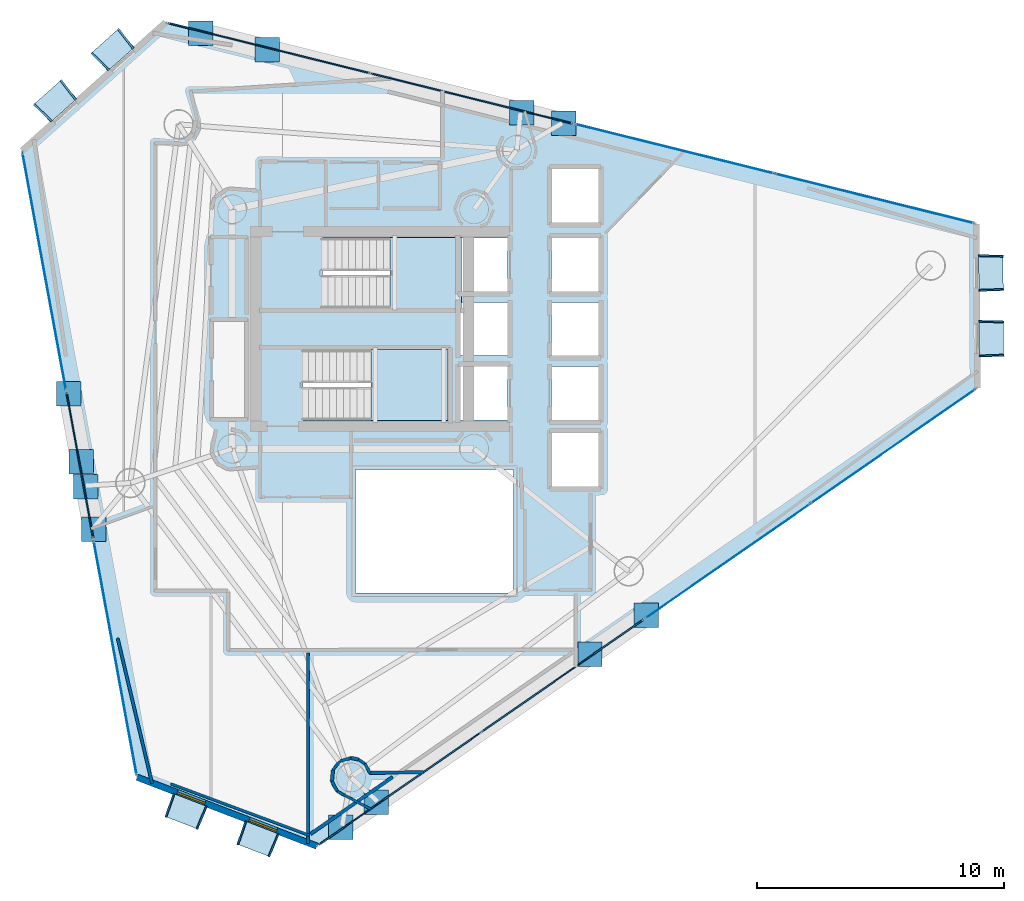
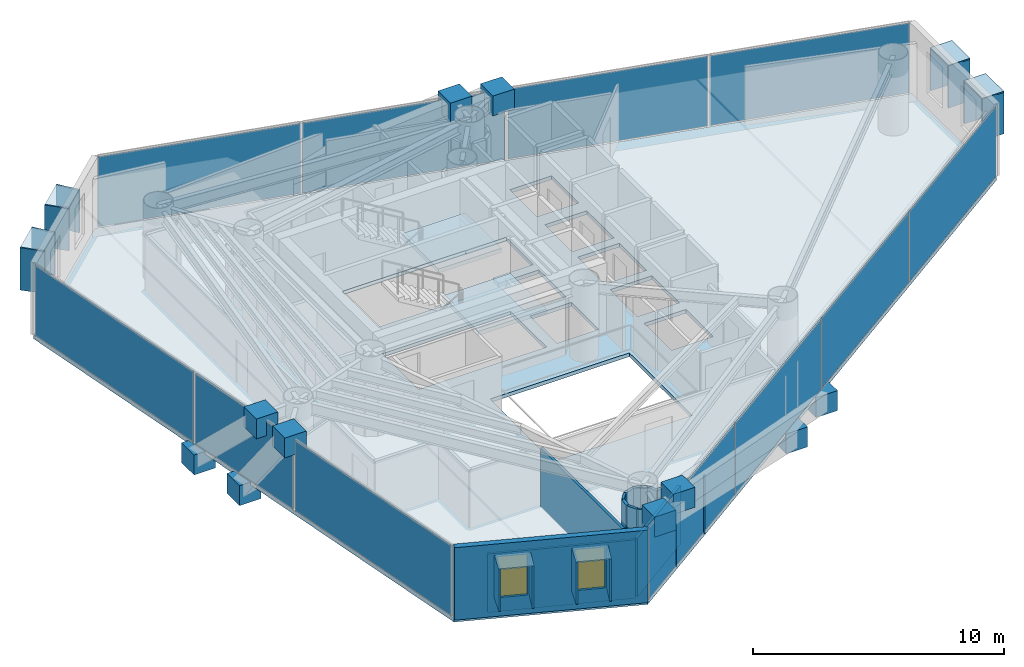
# One storey, part 18 of 23: 41 plates, 14 walls, 3 slabs, 2 windows, 2 openings, 9 elements without a shape of their own.
"""IFC4 building model written with IfcOpenShell, lengths in metres."""

from ifc_helpers import new_model, si_unit, direction, frame, frame_2d, origin, origin_2d, place, context, subcontext, project, spatial, polyline, rectangle, outline, extrude, material, layer, layer_set, type_object, element, fill, aggregate, save


model = new_model("IFC4")

# Units and contexts
model_context = context("Model", 3, precision=1e-05, world=origin(), true_north=direction((0.0, 1.0)))
body_context = subcontext(model_context, "Body", "Model", "MODEL_VIEW")
ifc_project = project(units=[si_unit("LENGTHUNIT", "METRE"), si_unit("AREAUNIT", "SQUARE_METRE"), si_unit("VOLUMEUNIT", "CUBIC_METRE"), si_unit("PLANEANGLEUNIT", "RADIAN"), si_unit("MASSUNIT", "GRAM", prefix="KILO")], contexts=[model_context])

# Site, building, storey
site_placement = place(None, origin())
site = spatial("IfcSite", under=ifc_project, at=site_placement, CompositionType="ELEMENT")
building_placement = place(site_placement, origin())
building = spatial("IfcBuilding", under=site, at=building_placement, Name="Qianvela Tower", CompositionType="ELEMENT")
storey_placement = place(building_placement, frame((0.0, 0.0, 192.89990234375)))
storey = spatial("IfcBuildingStorey", under=building, at=storey_placement, Name="L49", CompositionType="ELEMENT", Elevation=192.89990234375)

# Curtain wall, plates
ifc_material_1 = material(Name="Anodised Architectural Aluminium and Insulated Spandrel Panel", Category="aluminium")
ifc_layer_1 = layer(ifc_material_1, 0.179931640625)
ifc_layer_set_1 = layer_set([ifc_layer_1], Name="Anodised Architectural Aluminium and Insulated Spandrel Panel")
curtain_wall_type_1 = type_object("IfcCurtainWallType", Name="CW-BRACEBAY", PredefinedType="USERDEFINED", material=ifc_layer_set_1)
curtain_wall_1_placement = place(storey_placement, origin())
curtain_wall_1 = element("IfcCurtainWall", 1, at=curtain_wall_1_placement, inside=storey, type_object=curtain_wall_type_1, Name="L49 CW-BRACEBAY Curtain Wall 02B", ObjectType="CURTAIN_WALL_SYSTEM", PredefinedType="USERDEFINED")
ifc_material_2 = material(Name="Insulated Aluminium Spandrel Panel with Mineral-Wool Backpan", Category="aluminium")
ifc_layer_2 = layer(ifc_material_2, 0.06005859375)
ifc_layer_set_2 = layer_set([ifc_layer_2], Name="Insulated Aluminium Spandrel Panel with Mineral-Wool Backpan")
plate_type_1 = type_object("IfcPlateType", Name="CW-BRACEBAY-PNL", PredefinedType="CURTAIN_PANEL", material=ifc_layer_set_2)
plate_1_placement = place(storey_placement, frame((38.3017578125, 38.04150390625, 0.06494140625), z_axis=(0.0, 0.0, 1.0), x_axis=(-0.970494293403, 0.241124089364, 0.0)))
plate_1 = element("IfcPlate", 2, at=plate_1_placement, type_object=plate_type_1, Name="CW-9 panel 1.1", PredefinedType="CURTAIN_PANEL", context=body_context, shape_type="SweptSolid", body=[
    extrude(rectangle(XDim=8.39697265625, YDim=0.06005859375, at=origin_2d()), origin(), (0.0, 0.0, 1.0), 3.389892578125),
])
plate_2_placement = place(storey_placement, frame((30.08935546875, 40.081787109375, 0.06494140625), z_axis=(0.0, 0.0, 1.0), x_axis=(-0.970494293403, 0.241124089364, 0.0)))
plate_2 = element("IfcPlate", 3, at=plate_2_placement, type_object=plate_type_1, Name="CW-9 panel 2.1", PredefinedType="CURTAIN_PANEL", context=body_context, shape_type="SweptSolid", body=[
    extrude(rectangle(XDim=8.39697265625, YDim=0.06005859375, at=origin_2d()), origin(), (0.0, 0.0, 1.0), 3.389892578125),
])
aggregate(curtain_wall_1, [plate_1, plate_2])

# Curtain wall, plate
curtain_wall_2_placement = place(storey_placement, origin())
curtain_wall_2 = element("IfcCurtainWall", 4, at=curtain_wall_2_placement, inside=storey, type_object=curtain_wall_type_1, Name="L49 CW-BRACEBAY Curtain Wall 04B", ObjectType="CURTAIN_WALL_SYSTEM", PredefinedType="USERDEFINED")
plate_3_placement = place(storey_placement, frame((22.428955078125, 23.173583984375, 0.06494140625), z_axis=(0.0, 0.0, 1.0), x_axis=(0.180524212353, -0.983570540813, 0.0)))
plate_3 = element("IfcPlate", 5, at=plate_3_placement, type_object=plate_type_1, Name="CW-9 panel 1.1", PredefinedType="CURTAIN_PANEL", context=body_context, shape_type="SweptSolid", body=[
    extrude(rectangle(XDim=5.97998046875, YDim=0.06005859375, at=origin_2d()), origin(), (0.0, 0.0, 1.0), 3.389892578125),
])
aggregate(curtain_wall_2, [plate_3])

# Curtain wall, plates
curtain_wall_3_placement = place(storey_placement, origin())
curtain_wall_3 = element("IfcCurtainWall", 6, at=curtain_wall_3_placement, inside=storey, type_object=curtain_wall_type_1, Name="L49 CW-BRACEBAY Curtain Wall 06A", ObjectType="CURTAIN_WALL_SYSTEM", PredefinedType="USERDEFINED")
plate_4_placement = place(storey_placement, frame((35.392333984375, 10.0791015625, 0.06494140625), z_axis=(0.0, 0.0, 1.0), x_axis=(0.821619262388, 0.570036654674, 0.0)))
plate_4 = element("IfcPlate", 7, at=plate_4_placement, type_object=plate_type_1, Name="CW-9 panel 1.1", PredefinedType="CURTAIN_PANEL", context=body_context, shape_type="SweptSolid", body=[
    extrude(rectangle(XDim=7.95751953125, YDim=0.06005859375, at=origin_2d()), origin(), (0.0, 0.0, 1.0), 3.389892578125),
])
plate_5_placement = place(storey_placement, frame((41.98388671875, 14.652099609375, 0.06494140625), z_axis=(0.0, 0.0, 1.0), x_axis=(0.821619262388, 0.570036654674, 0.0)))
plate_5 = element("IfcPlate", 8, at=plate_5_placement, type_object=plate_type_1, Name="CW-9 panel 2.1", PredefinedType="CURTAIN_PANEL", context=body_context, shape_type="SweptSolid", body=[
    extrude(rectangle(XDim=7.95751953125, YDim=0.06005859375, at=origin_2d()), origin(), (0.0, 0.0, 1.0), 3.389892578125),
])
aggregate(curtain_wall_3, [plate_4, plate_5])

ifc_material_3 = material(Name="Anodised Architectural Aluminium and Low-E Glass", Category="aluminium")
ifc_layer_3 = layer(ifc_material_3, 0.159912109375)
ifc_layer_set_3 = layer_set([ifc_layer_3], Name="Anodised Architectural Aluminium and Low-E Glass")
curtain_wall_type_2 = type_object("IfcCurtainWallType", Name="CW-COLIV-Z56", PredefinedType="USERDEFINED", material=ifc_layer_set_3)
curtain_wall_4_placement = place(storey_placement, origin())
curtain_wall_4 = element("IfcCurtainWall", 9, at=curtain_wall_4_placement, inside=storey, type_object=curtain_wall_type_2, Name="L49 CW-COLIV-Z56 Curtain Wall 02A", ObjectType="CURTAIN_WALL_SYSTEM", PredefinedType="USERDEFINED")
ifc_material_4 = material(Name="Double-Silver Low-E Insulated Glass", Category="glass")
ifc_layer_4 = layer(ifc_material_4, 0.028076171875)
ifc_layer_set_4 = layer_set([ifc_layer_4], Name="Double-Silver Low-E Insulated Glass")
plate_type_2 = type_object("IfcPlateType", Name="CW-COLIV-Z56-PNL", PredefinedType="CURTAIN_PANEL", material=ifc_layer_set_4)
plate_6_placement = place(storey_placement, frame((54.615478515625, 33.98828125, 0.06005859375), z_axis=(0.0, 0.0, 1.0), x_axis=(-0.970494762976, 0.241122199386, 0.0)))
plate_6 = element("IfcPlate", 10, at=plate_6_placement, type_object=plate_type_2, Name="CW-5 panel 1.1", PredefinedType="CURTAIN_PANEL", context=body_context, shape_type="SweptSolid", body=[
    extrude(rectangle(XDim=8.277587890625, YDim=0.028076171875, at=origin_2d()), origin(), (0.0, 0.0, 1.0), 3.39990234375),
])
plate_7_placement = place(storey_placement, frame((46.519287109375, 35.999755859375, 0.06005859375), z_axis=(0.0, 0.0, 1.0), x_axis=(-0.970494762976, 0.241122199386, 0.0)))
plate_7 = element("IfcPlate", 11, at=plate_7_placement, type_object=plate_type_2, Name="CW-5 panel 2.1", PredefinedType="CURTAIN_PANEL", context=body_context, shape_type="SweptSolid", body=[
    extrude(rectangle(XDim=8.277587890625, YDim=0.028076171875, at=origin_2d()), origin(), (0.0, 0.0, 1.0), 3.39990234375),
])
aggregate(curtain_wall_4, [plate_6, plate_7])

# Curtain wall, plate
curtain_wall_5_placement = place(storey_placement, origin())
curtain_wall_5 = element("IfcCurtainWall", 12, at=curtain_wall_5_placement, inside=storey, type_object=curtain_wall_type_2, Name="L49 CW-COLIV-Z56 Curtain Wall 04A", ObjectType="CURTAIN_WALL_SYSTEM", PredefinedType="USERDEFINED")
plate_8_placement = place(storey_placement, frame((20.987548828125, 31.027587890625, 0.06005859375), z_axis=(0.0, 0.0, 1.0), x_axis=(0.180517568176, -0.98357176026, 0.0)))
plate_8 = element("IfcPlate", 13, at=plate_8_placement, type_object=plate_type_2, Name="CW-5 panel 1.1", PredefinedType="CURTAIN_PANEL", context=body_context, shape_type="SweptSolid", body=[
    extrude(rectangle(XDim=9.72998046875, YDim=0.028076171875, at=origin_2d()), origin(), (0.0, 0.0, 1.0), 3.39990234375),
])
aggregate(curtain_wall_5, [plate_8])

curtain_wall_6_placement = place(storey_placement, origin())
curtain_wall_6 = element("IfcCurtainWall", 14, at=curtain_wall_6_placement, inside=storey, type_object=curtain_wall_type_2, Name="L49 CW-COLIV-Z56 Curtain Wall 04C", ObjectType="CURTAIN_WALL_SYSTEM", PredefinedType="USERDEFINED")
plate_9_placement = place(storey_placement, frame((23.859619140625, 15.378173828125, 0.06005859375), z_axis=(0.0, 0.0, 1.0), x_axis=(0.180515736726, -0.983572096389, 0.0)))
plate_9 = element("IfcPlate", 15, at=plate_9_placement, type_object=plate_type_2, Name="CW-5 panel 1.1", PredefinedType="CURTAIN_PANEL", context=body_context, shape_type="SweptSolid", body=[
    extrude(rectangle(XDim=9.611572265625, YDim=0.028076171875, at=origin_2d()), origin(), (0.0, 0.0, 1.0), 3.39990234375),
])
aggregate(curtain_wall_6, [plate_9])

# Curtain wall, plates
curtain_wall_7_placement = place(storey_placement, origin())
curtain_wall_7 = element("IfcCurtainWall", 16, at=curtain_wall_7_placement, inside=storey, type_object=curtain_wall_type_2, Name="L49 CW-COLIV-Z56 Curtain Wall 06B", ObjectType="CURTAIN_WALL_SYSTEM", PredefinedType="USERDEFINED")
plate_10_placement = place(storey_placement, frame((48.6796875, 19.297607421875, 0.06005859375), z_axis=(0.0, 0.0, 1.0), x_axis=(0.821617387273, 0.570039357353, 0.0)))
plate_10 = element("IfcPlate", 17, at=plate_10_placement, type_object=plate_type_2, Name="CW-5 panel 1.1", PredefinedType="CURTAIN_PANEL", context=body_context, shape_type="SweptSolid", body=[
    extrude(rectangle(XDim=8.081787109375, YDim=0.028076171875, at=origin_2d()), origin(), (0.0, 0.0, 1.0), 3.39990234375),
])
plate_11_placement = place(storey_placement, frame((55.373046875, 23.941650390625, 0.06005859375), z_axis=(0.0, 0.0, 1.0), x_axis=(0.821617387273, 0.570039357353, 0.0)))
plate_11 = element("IfcPlate", 18, at=plate_11_placement, type_object=plate_type_2, Name="CW-5 panel 2.1", PredefinedType="CURTAIN_PANEL", context=body_context, shape_type="SweptSolid", body=[
    extrude(rectangle(XDim=8.081787109375, YDim=0.028076171875, at=origin_2d()), origin(), (0.0, 0.0, 1.0), 3.39990234375),
])
aggregate(curtain_wall_7, [plate_10, plate_11])

# Plates
ifc_material_5 = material(Name="Steel Q420GJC", Category="steel")
ifc_layer_5 = layer(ifc_material_5, 0.1298828125)
ifc_layer_set_5 = layer_set([ifc_layer_5], Name="Steel Q420GJC")
plate_type_3 = type_object("IfcPlateType", Name="PT-ENDCAP-130", PredefinedType="USERDEFINED", material=ifc_layer_set_5)
for number, where, z_axis, x_axis, name in (
    (19, (30.024658203125, 40.015625, -0.984375), (0.0, 0.0, 1.0), (1.0, 0.0, 0.0), "L49 Hollow Section End Cap Plate A"),
    (20, (42.035888671875, 37.03125, 2.75048828125), (0.0, 0.0, 1.0), (1.0, 0.0, 0.0), "L49 Hollow Section End Cap Plate B"),
    (21, (27.32470703125, 40.686279296875, -0.98291015625), (0.0, 0.0, 1.0), (1.0, 0.0, 0.0), "L49 Hollow Section End Cap Plate A"),
    (22, (40.33544921875, 37.453857421875, 2.7490234375), (0.0, 0.0, 1.0), (1.0, 0.0, 0.0), "L49 Hollow Section End Cap Plate B"),
    (23, (21.97900390625, 26.068603515625, -1.00927734375), (0.0, 0.0, 1.0), (1.0, 0.0, 0.0), "L49 Hollow Section End Cap Plate A"),
    (24, (22.6689453125, 22.309326171875, 2.775390625), (0.0, 0.0, 1.0), (1.0, 0.0, 0.0), "L49 Hollow Section End Cap Plate B"),
    (25, (22.482421875, 23.32568359375, -1.01513671875), (0.0, 0.0, 1.0), (1.0, 0.0, 0.0), "L49 Hollow Section End Cap Plate A"),
    (26, (22.98388671875, 20.592529296875, 2.78173828125), (0.0, 0.0, 1.0), (1.0, 0.0, 0.0), "L49 Hollow Section End Cap Plate B"),
    (27, (43.09619140625, 15.521484375, -0.984375), (0.0, 0.0, 1.0), (1.0, 0.0, 0.0), "L49 Hollow Section End Cap Plate A"),
    (28, (33.004150390625, 8.51953125, 2.75048828125), (0.0, 0.0, 1.0), (1.0, 0.0, 0.0), "L49 Hollow Section End Cap Plate B"),
    (29, (45.3818359375, 17.107177734375, -0.98291015625), (0.0, 0.0, 1.0), (1.0, 0.0, 0.0), "L49 Hollow Section End Cap Plate A"),
    (30, (34.44384765625, 9.518310546875, 2.74951171875), (0.0, 0.0, 1.0), (1.0, 0.0, 0.0), "L49 Hollow Section End Cap Plate B"),
):
    element("IfcPlate", number, at=place(storey_placement, frame(where, z_axis=z_axis, x_axis=x_axis)), inside=storey, type_object=plate_type_3, Name=name, ObjectType="END_CAP", PredefinedType="USERDEFINED", context=body_context, shape_type="SweptSolid", body=[
        extrude(rectangle(XDim=0.989990234375, YDim=0.989990234375, at=origin_2d()), origin(), (0.0, 0.0, 1.0), 0.969970703125),
    ])

# Slab
ifc_material_6 = material(Name="Concrete C40", Category="concrete")
ifc_layer_6 = layer(ifc_material_6, 0.179931640625)
ifc_layer_set_6 = layer_set([ifc_layer_6], Name="Concrete C40")
slab_type_1 = type_object("IfcSlabType", Name="SL-FLOOR-180", PredefinedType="FLOOR", material=ifc_layer_set_6)
slab_1_placement = place(storey_placement, frame((0.0, 0.0, -0.179931640625)))
element("IfcSlab", 31, at=slab_1_placement, inside=storey, type_object=slab_type_1, Name="L49 Composite Structural Floor Slab", PredefinedType="FLOOR", context=body_context, shape_type="SweptSolid", body=[
    extrude(outline(polyline([(58.78759765625, 26.310546875), (58.743896484375, 32.96240234375), (25.903076171875, 41.1220703125), (20.08837890625, 35.92578125), (24.747802734375, 10.5380859375), (32.02880859375, 7.745361328125), (58.78759765625, 26.310546875)]), holes=[polyline([(40.0, 23.0), (33.60009765625, 23.0), (33.60009765625, 18.0), (40.0, 18.0), (40.0, 23.0)]), polyline([(39.760009765625, 27.179931640625), (37.840087890625, 27.179931640625), (37.840087890625, 25.02001953125), (39.760009765625, 25.02001953125), (39.760009765625, 27.179931640625)]), polyline([(37.35009765625, 27.860107421875), (31.469970703125, 27.860107421875), (31.469970703125, 25.0), (37.35009765625, 25.0), (37.35009765625, 27.860107421875)]), polyline([(37.840087890625, 27.6201171875), (39.760009765625, 27.6201171875), (39.760009765625, 29.780029296875), (37.89990234375, 29.780029296875), (37.89990234375, 30.219970703125), (39.760009765625, 30.219970703125), (39.760009765625, 32.3798828125), (37.89990234375, 32.3798828125), (37.89990234375, 32.39990234375), (32.25, 32.39990234375), (32.25, 29.5400390625), (37.840087890625, 29.5400390625), (37.840087890625, 27.6201171875)]), polyline([(43.4599609375, 22.320068359375), (43.4599609375, 24.47998046875), (41.5400390625, 24.47998046875), (41.5400390625, 22.320068359375), (43.4599609375, 22.320068359375)]), polyline([(43.4599609375, 25.02001953125), (43.4599609375, 27.179931640625), (41.5400390625, 27.179931640625), (41.5400390625, 25.02001953125), (43.4599609375, 25.02001953125)]), polyline([(43.4599609375, 29.780029296875), (41.5400390625, 29.780029296875), (41.5400390625, 27.6201171875), (43.4599609375, 27.6201171875), (43.4599609375, 29.780029296875)]), polyline([(43.4599609375, 30.219970703125), (43.4599609375, 32.3798828125), (41.5400390625, 32.3798828125), (41.5400390625, 30.219970703125), (43.4599609375, 30.219970703125)]), polyline([(43.4599609375, 33.02001953125), (43.4599609375, 35.179931640625), (41.5400390625, 35.179931640625), (41.5400390625, 33.02001953125), (43.4599609375, 33.02001953125)])]), origin(), (0.0, 0.0, 1.0), 0.179931640625),
])

# Stair, slab
ifc_material_7 = material(Name="Concrete C40", Category="concrete")
stair_type = type_object("IfcStairType", Name="ST-DOGLEG-1350-R168-N22", PredefinedType="HALF_TURN_STAIR", material=ifc_material_7)
stair_1_placement = place(storey_placement, origin())
stair_1 = element("IfcStair", 32, at=stair_1_placement, inside=storey, type_object=stair_type, Name="L49 Smoke-Proof Core Stair ST-1", PredefinedType="HALF_TURN_STAIR")
ifc_material_8 = material(Name="Concrete C40", Category="concrete")
ifc_layer_7 = layer(ifc_material_8, 0.199951171875)
ifc_layer_set_7 = layer_set([ifc_layer_7], Name="Concrete C40")
slab_type_2 = type_object("IfcSlabType", Name="SL-STAIR-LANDING-200", PredefinedType="LANDING", material=ifc_layer_set_7)
slab_2_placement = place(storey_placement, frame((0.0, 0.0, 1.650146484375)))
slab_2 = element("IfcSlab", 33, at=slab_2_placement, type_object=slab_type_2, Name="ST-1 landing 1", PredefinedType="LANDING", context=body_context, shape_type="SweptSolid", body=[
    extrude(outline(polyline([(35.0, 29.5400390625), (37.89990234375, 29.5400390625), (37.89990234375, 32.39990234375), (35.0, 32.39990234375), (35.0, 29.5400390625)])), origin(), (0.0, 0.0, 1.0), 0.199951171875),
])
aggregate(stair_1, [slab_2])

stair_2_placement = place(storey_placement, origin())
stair_2 = element("IfcStair", 34, at=stair_2_placement, inside=storey, type_object=stair_type, Name="L49 Smoke-Proof Core Stair ST-2", PredefinedType="HALF_TURN_STAIR")
slab_3_placement = place(storey_placement, frame((0.0, 0.0, 1.650146484375)))
slab_3 = element("IfcSlab", 35, at=slab_3_placement, type_object=slab_type_2, Name="ST-2 landing 1", PredefinedType="LANDING", context=body_context, shape_type="SweptSolid", body=[
    extrude(outline(polyline([(34.219970703125, 25.0), (37.35009765625, 25.0), (37.35009765625, 27.860107421875), (34.219970703125, 27.860107421875), (34.219970703125, 25.0)])), origin(), (0.0, 0.0, 1.0), 0.199951171875),
])
aggregate(stair_2, [slab_3])

# Plates
ifc_material_9 = material(Name="Vitrified Architectural Terracotta Panel", Category="masonry")
ifc_layer_8 = layer(ifc_material_9, 0.06494140625)
ifc_layer_set_8 = layer_set([ifc_layer_8], Name="Vitrified Architectural Terracotta Panel")
plate_type_4 = type_object("IfcPlateType", Name="TERRACOTTA-SUNSHADE-HOOD-FOLD-B", PredefinedType="USERDEFINED", material=ifc_layer_set_8)
for number, where, z_axis, x_axis, name in (
    (36, (59.359375, 28.31005859375, 2.91015625), (0.0, 0.0, 1.0), (-0.006585079675, 0.999978318128, 0.0), "L49 Terracotta Sunshade Hood FOLD-B"),
    (37, (59.341796875, 30.970703125, 2.91015625), (0.0, 0.0, 1.0), (-0.006585079675, 0.999978318128, 0.0), "L49 Terracotta Sunshade Hood FOLD-B"),
    (38, (26.72265625, 9.154296875, 2.91015625), (0.0, 0.0, 1.0), (0.933669214574, -0.358136562999, 0.0), "L49 Terracotta Sunshade Hood FOLD-B"),
    (39, (29.635009765625, 8.037109375, 2.91015625), (0.0, 0.0, 1.0), (0.933669214574, -0.358136562999, 0.0), "L49 Terracotta Sunshade Hood FOLD-B"),
):
    element("IfcPlate", number, at=place(storey_placement, frame(where, z_axis=z_axis, x_axis=x_axis)), inside=storey, type_object=plate_type_4, Name=name, ObjectType="SUNSHADE", PredefinedType="USERDEFINED", context=body_context, shape_type="SweptSolid", body=[
        extrude(rectangle(XDim=1.43994140625, YDim=0.989990234375, at=origin_2d()), origin(), (0.0, 0.0, 1.0), 0.06005859375),
    ])
ifc_material_10 = material(Name="Vitrified Architectural Terracotta Panel", Category="masonry")
ifc_layer_9 = layer(ifc_material_10, 0.074951171875)
ifc_layer_set_9 = layer_set([ifc_layer_9], Name="Vitrified Architectural Terracotta Panel")
plate_type_5 = type_object("IfcPlateType", Name="TERRACOTTA-SUNSHADE-HOOD-FOLD-D", PredefinedType="USERDEFINED", material=ifc_layer_set_9)
for number, where, z_axis, x_axis, name in (
    (40, (23.768798828125, 39.999267578125, 2.91015625), (0.0, 0.0, 1.0), (-0.745638842033, -0.666350296204, 0.0), "L49 Terracotta Sunshade Hood FOLD-D"),
    (41, (21.443115234375, 37.9208984375, 2.91015625), (0.0, 0.0, 1.0), (-0.745638842033, -0.666350296204, 0.0), "L49 Terracotta Sunshade Hood FOLD-D"),
):
    element("IfcPlate", number, at=place(storey_placement, frame(where, z_axis=z_axis, x_axis=x_axis)), inside=storey, type_object=plate_type_5, Name=name, ObjectType="SUNSHADE", PredefinedType="USERDEFINED", context=body_context, shape_type="SweptSolid", body=[
        extrude(rectangle(XDim=1.43994140625, YDim=0.989990234375, at=origin_2d()), origin(), (0.0, 0.0, 1.0), 0.06005859375),
    ])
ifc_material_11 = material(Name="Vitrified Architectural Terracotta Side Fin Panel", Category="masonry")
ifc_layer_10 = layer(ifc_material_11, 0.070068359375)
ifc_layer_set_10 = layer_set([ifc_layer_10], Name="Vitrified Architectural Terracotta Side Fin Panel")
plate_type_6 = type_object("IfcPlateType", Name="TERRACOTTA-SUNSHADE-STRUT-FOLD-B", PredefinedType="USERDEFINED", material=ifc_layer_set_10)
for number, where, z_axis, x_axis, name in (
    (42, (59.364013671875, 27.6201171875, 0.900146484375), (0.0, 0.0, 1.0), (-0.037119859411, 0.999310820534, 0.0), "L49 Terracotta Sunshade Side Fin HL FOLD-B"),
    (43, (59.35498046875, 29.0, 0.900146484375), (0.0, 0.0, 1.0), (0.023955842744, 0.99971301762, 0.0), "L49 Terracotta Sunshade Side Fin HR FOLD-B"),
    (44, (59.346435546875, 30.28076171875, 0.900146484375), (0.0, 0.0, 1.0), (-0.037119859411, 0.999310820534, 0.0), "L49 Terracotta Sunshade Side Fin HL FOLD-B"),
    (45, (59.33740234375, 31.660888671875, 0.900146484375), (0.0, 0.0, 1.0), (0.023955842744, 0.99971301762, 0.0), "L49 Terracotta Sunshade Side Fin HR FOLD-B"),
    (46, (26.078369140625, 9.4013671875, 0.900146484375), (0.0, 0.0, 1.0), (0.944170700857, -0.329456655182, 0.0), "L49 Terracotta Sunshade Side Fin HL FOLD-B"),
    (47, (27.366943359375, 8.906982421875, 0.900146484375), (0.0, 0.0, 1.0), (0.922296784537, -0.386482394468, 0.0), "L49 Terracotta Sunshade Side Fin HR FOLD-B"),
    (48, (28.99072265625, 8.2841796875, 0.900146484375), (0.0, 0.0, 1.0), (0.944170700857, -0.329456655182, 0.0), "L49 Terracotta Sunshade Side Fin HL FOLD-B"),
    (49, (30.279296875, 7.789794921875, 0.900146484375), (0.0, 0.0, 1.0), (0.922296784537, -0.386482394468, 0.0), "L49 Terracotta Sunshade Side Fin HR FOLD-B"),
):
    element("IfcPlate", number, at=place(storey_placement, frame(where, z_axis=z_axis, x_axis=x_axis)), inside=storey, type_object=plate_type_6, Name=name, ObjectType="SUNSHADE", PredefinedType="USERDEFINED", context=body_context, shape_type="SweptSolid", body=[
        extrude(rectangle(XDim=0.070068359375, YDim=1.010009765625, at=origin_2d()), origin(), (0.0, 0.0, 1.0), 2.06005859375),
    ])
ifc_material_12 = material(Name="Vitrified Architectural Terracotta Side Fin Panel", Category="masonry")
ifc_layer_11 = layer(ifc_material_12, 0.080078125)
ifc_layer_set_11 = layer_set([ifc_layer_11], Name="Vitrified Architectural Terracotta Side Fin Panel")
plate_type_7 = type_object("IfcPlateType", Name="TERRACOTTA-SUNSHADE-STRUT-FOLD-D", PredefinedType="USERDEFINED", material=ifc_layer_set_11)
for number, where, z_axis, x_axis, name in (
    (50, (24.283447265625, 40.458984375, 0.900146484375), (0.0, 0.0, 1.0), (-0.792970687628, -0.609259787416, 0.0), "L49 Terracotta Sunshade Side Fin HL FOLD-D"),
    (51, (23.25439453125, 39.53955078125, 0.900146484375), (0.0, 0.0, 1.0), (-0.694206258842, -0.719776125045, 0.0), "L49 Terracotta Sunshade Side Fin HR FOLD-D"),
    (52, (21.95751953125, 38.380615234375, 0.900146484375), (0.0, 0.0, 1.0), (-0.792970687628, -0.609259787416, 0.0), "L49 Terracotta Sunshade Side Fin HL FOLD-D"),
    (53, (20.9287109375, 37.4609375, 0.900146484375), (0.0, 0.0, 1.0), (-0.694206258842, -0.719776125045, 0.0), "L49 Terracotta Sunshade Side Fin HR FOLD-D"),
):
    element("IfcPlate", number, at=place(storey_placement, frame(where, z_axis=z_axis, x_axis=x_axis)), inside=storey, type_object=plate_type_7, Name=name, ObjectType="SUNSHADE", PredefinedType="USERDEFINED", context=body_context, shape_type="SweptSolid", body=[
        extrude(rectangle(XDim=0.080078125, YDim=1.010009765625, at=origin_2d()), origin(), (0.0, 0.0, 1.0), 2.06005859375),
    ])

# Wall, openings, windows
ifc_material_13 = material(Name="Terracotta Cladding on Concrete C40", Category="masonry")
ifc_layer_12 = layer(ifc_material_13, 0.260009765625)
ifc_layer_set_12 = layer_set([ifc_layer_12], Name="Terracotta Cladding on Concrete C40")
wall_type_1 = type_object("IfcWallType", Name="TERRACOTTA-WALL-260", PredefinedType="SOLIDWALL", material=ifc_layer_set_12)
wall_1_placement = place(storey_placement, frame((24.747802734375, 10.5380859375, 0.0), z_axis=(0.0, 0.0, 1.0), x_axis=(0.933674423382, -0.358122983237, 0.0)))
wall_1 = element("IfcWall", 54, at=wall_1_placement, inside=storey, type_object=wall_type_1, Name="L49 Terracotta Chamfer Facet Wall 5", PredefinedType="SOLIDWALL", context=body_context, shape_type="SweptSolid", body=[
    extrude(rectangle(XDim=7.79833984375, YDim=0.260009765625, at=frame_2d((3.899169921875, 0.0))), origin(), (0.0, 0.0, 1.0), 3.52001953125),
])
opening_1_placement = place(wall_1_placement, frame((1.739501953125, 0.0, 0.89990234375)))
opening_1 = element("IfcOpeningElement", 55, at=opening_1_placement, cuts=wall_1, Name="Opening W-03", PredefinedType="OPENING", context=body_context, shape_type="SweptSolid", body=[
    extrude(rectangle(XDim=1.199951171875, YDim=2.0, at=frame_2d((0.60009765625, 1.0))), frame((0.0, 0.139892578125, 0.0), z_axis=(0.0, -1.0, 0.0), x_axis=(1.0, 0.0, 0.0)), (0.0, 0.0, 1.0), 0.280029296875),
])
opening_2_placement = place(wall_1_placement, frame((4.858642578125, 0.0, 0.89990234375)))
opening_2 = element("IfcOpeningElement", 56, at=opening_2_placement, cuts=wall_1, Name="Opening W-03", PredefinedType="OPENING", context=body_context, shape_type="SweptSolid", body=[
    extrude(rectangle(XDim=1.199951171875, YDim=2.0, at=frame_2d((0.60009765625, 1.0))), frame((0.0, 0.139892578125, 0.0), z_axis=(0.0, -1.0, 0.0), x_axis=(1.0, 0.0, 0.0)), (0.0, 0.0, 1.0), 0.280029296875),
])
ifc_material_14 = material(Name="Thermally Broken Aluminium and Low-E Glass", Category="aluminium")
window_type = type_object("IfcWindowType", Name="WIN-TC-1200x2000", PartitioningType="SINGLE_PANEL", PredefinedType="WINDOW", material=ifc_material_14)
window_1_placement = place(opening_1_placement, origin())
window_1 = element("IfcWindow", 57, at=window_1_placement, inside=storey, type_object=window_type, Name="L49 Chamfer Facet Window 5.1", OverallHeight=2.0, OverallWidth=1.199951171875, PartitioningType="SINGLE_PANEL", PredefinedType="WINDOW", context=body_context, shape_type="SweptSolid", body=[
    extrude(rectangle(XDim=1.199951171875, YDim=2.0, at=frame_2d((0.60009765625, 1.0))), frame((0.0, 0.030029296875, 0.0), z_axis=(0.0, -1.0, 0.0), x_axis=(1.0, 0.0, 0.0)), (0.0, 0.0, 1.0), 0.06005859375),
])
fill(opening_1, window_1)
window_2_placement = place(opening_2_placement, origin())
window_2 = element("IfcWindow", 58, at=window_2_placement, inside=storey, type_object=window_type, Name="L49 Chamfer Facet Window 5.2", OverallHeight=2.0, OverallWidth=1.199951171875, PartitioningType="SINGLE_PANEL", PredefinedType="WINDOW", context=body_context, shape_type="SweptSolid", body=[
    extrude(rectangle(XDim=1.199951171875, YDim=2.0, at=frame_2d((0.60009765625, 1.0))), frame((0.0, 0.030029296875, 0.0), z_axis=(0.0, -1.0, 0.0), x_axis=(1.0, 0.0, 0.0)), (0.0, 0.0, 1.0), 0.06005859375),
])
fill(opening_2, window_2)

# Walls
ifc_material_15 = material(Name="Lightweight Gypsum Room Partition")
ifc_layer_13 = layer(ifc_material_15, 0.10498046875)
ifc_layer_set_13 = layer_set([ifc_layer_13], Name="Lightweight Gypsum Room Partition")
wall_type_2 = type_object("IfcWallType", Name="WT-PART-105", PredefinedType="PARTITIONING", material=ifc_layer_set_13)
wall_2_placement = place(storey_placement, frame((31.720703125, 8.18603515625, 0.0), z_axis=(0.0, 0.0, 1.0), x_axis=(-0.937280495086, 0.348576065631, 0.0)))
element("IfcWall", 59, at=wall_2_placement, inside=storey, type_object=wall_type_2, Name="L49 Partition 87 seg 1", PredefinedType="PARTITIONING", context=body_context, shape_type="SweptSolid", body=[
    extrude(rectangle(XDim=5.979248046875, YDim=0.10498046875, at=frame_2d((2.98974609375, 0.0))), origin(), (0.0, 0.0, 1.0), 2.840087890625),
])
wall_3_placement = place(storey_placement, frame((33.967529296875, 11.09423828125, 0.0), z_axis=(0.0, 0.0, 1.0), x_axis=(-0.831542792322, 0.555460695763, 0.0)))
element("IfcWall", 60, at=wall_3_placement, inside=storey, type_object=wall_type_2, Name="L49 Partition 90", PredefinedType="PARTITIONING", context=body_context, shape_type="SweptSolid", body=[
    extrude(rectangle(XDim=0.296142578125, YDim=0.10498046875, at=frame_2d((0.14794921875, 0.0))), origin(), (0.0, 0.0, 1.0), 2.840087890625),
])
wall_4_placement = place(storey_placement, frame((32.966796875, 11.1826171875, 0.0), z_axis=(0.0, 0.0, 1.0), x_axis=(-0.634231799198, -0.773142952426, 0.0)))
element("IfcWall", 61, at=wall_4_placement, inside=storey, type_object=wall_type_2, Name="L49 Partition 93", PredefinedType="PARTITIONING", context=body_context, shape_type="SweptSolid", body=[
    extrude(rectangle(XDim=0.441162109375, YDim=0.10498046875, at=frame_2d((0.220703125, 0.0))), origin(), (0.0, 0.0, 1.0), 2.840087890625),
])
wall_5_placement = place(storey_placement, frame((32.861083984375, 9.96630859375, 0.0), z_axis=(0.0, 0.0, 1.0), x_axis=(0.881895233193, -0.471445434459, 0.0)))
element("IfcWall", 62, at=wall_5_placement, inside=storey, type_object=wall_type_2, Name="L49 Partition 96", PredefinedType="PARTITIONING", context=body_context, shape_type="SweptSolid", body=[
    extrude(rectangle(XDim=1.537109375, YDim=0.10498046875, at=frame_2d((0.7685546875, 0.0))), origin(), (0.0, 0.0, 1.0), 2.840087890625),
])
ifc_material_16 = material(Name="Insulated Gypsum Stud Partition")
ifc_layer_14 = layer(ifc_material_16, 0.1201171875)
ifc_layer_set_14 = layer_set([ifc_layer_14], Name="Insulated Gypsum Stud Partition")
wall_type_3 = type_object("IfcWallType", Name="WT-PART-120", PredefinedType="PARTITIONING", material=ifc_layer_set_14)
wall_6_placement = place(storey_placement, frame((25.35400390625, 10.287353515625, 0.0), z_axis=(0.0, 0.0, 1.0), x_axis=(-0.230780881634, 0.973005747502, 0.0)))
element("IfcWall", 63, at=wall_6_placement, inside=storey, type_object=wall_type_3, Name="L49 Partition 80 seg 1", PredefinedType="PARTITIONING", context=body_context, shape_type="SweptSolid", body=[
    extrude(rectangle(XDim=6.05419921875, YDim=0.1201171875, at=frame_2d((3.027099609375, 0.0))), origin(), (0.0, 0.0, 1.0), 2.840087890625),
])
wall_7_placement = place(storey_placement, frame((31.6787109375, 15.572509765625, 0.0), z_axis=(0.0, 0.0, 1.0), x_axis=(0.0, -1.0, 0.0)))
element("IfcWall", 64, at=wall_7_placement, inside=storey, type_object=wall_type_3, Name="L49 Partition 86", PredefinedType="PARTITIONING", context=body_context, shape_type="SweptSolid", body=[
    extrude(rectangle(XDim=7.712890625, YDim=0.1201171875, at=frame_2d((3.8564453125, 0.0))), origin(), (0.0, 0.0, 1.0), 2.840087890625),
])
wall_8_placement = place(storey_placement, frame((34.18017578125, 10.7119140625, 0.0), z_axis=(0.0, 0.0, 1.0), x_axis=(-0.47901386463, 0.877807335064, 0.0)))
element("IfcWall", 65, at=wall_8_placement, inside=storey, type_object=wall_type_3, Name="L49 Partition 89", PredefinedType="PARTITIONING", context=body_context, shape_type="SweptSolid", body=[
    extrude(rectangle(XDim=0.423095703125, YDim=0.1201171875, at=frame_2d((0.21142578125, 0.0))), origin(), (0.0, 0.0, 1.0), 2.840087890625),
])
wall_9_placement = place(storey_placement, frame((33.404052734375, 11.32080078125, 0.0), z_axis=(0.0, 0.0, 1.0), x_axis=(-0.9569080268, -0.290391164202, 0.0)))
element("IfcWall", 66, at=wall_9_placement, inside=storey, type_object=wall_type_3, Name="L49 Partition 92", PredefinedType="PARTITIONING", context=body_context, shape_type="SweptSolid", body=[
    extrude(rectangle(XDim=0.44140625, YDim=0.1201171875, at=frame_2d((0.220703125, 0.0))), origin(), (0.0, 0.0, 1.0), 2.840087890625),
])
wall_10_placement = place(storey_placement, frame((32.640380859375, 10.3681640625, 0.0), z_axis=(0.0, 0.0, 1.0), x_axis=(0.471392110461, -0.881923737177, 0.0)))
element("IfcWall", 67, at=wall_10_placement, inside=storey, type_object=wall_type_3, Name="L49 Partition 95", PredefinedType="PARTITIONING", context=body_context, shape_type="SweptSolid", body=[
    extrude(rectangle(XDim=0.441162109375, YDim=0.1201171875, at=frame_2d((0.220703125, 0.0))), origin(), (0.0, 0.0, 1.0), 2.840087890625),
])
ifc_material_17 = material(Name="Acoustic Double Gypsum Stud Partition")
ifc_layer_15 = layer(ifc_material_17, 0.139892578125)
ifc_layer_set_15 = layer_set([ifc_layer_15], Name="Acoustic Double Gypsum Stud Partition")
wall_type_4 = type_object("IfcWallType", Name="WT-ROOM-140", PredefinedType="PARTITIONING", material=ifc_layer_set_15)
wall_11_placement = place(storey_placement, frame((36.35546875, 10.7333984375, 0.0), z_axis=(0.0, 0.0, 1.0), x_axis=(-0.999997026912, -0.002438476457, 0.0)))
element("IfcWall", 68, at=wall_11_placement, inside=storey, type_object=wall_type_4, Name="L49 Partition 88", PredefinedType="PARTITIONING", context=body_context, shape_type="SweptSolid", body=[
    extrude(rectangle(XDim=2.20263671875, YDim=0.139892578125, at=frame_2d((1.101318359375, 0.0))), origin(), (0.0, 0.0, 1.0), 2.840087890625),
])
wall_12_placement = place(storey_placement, frame((33.7099609375, 11.263671875, 0.0), z_axis=(0.0, 0.0, 1.0), x_axis=(-0.980958660601, 0.194216647569, 0.0)))
element("IfcWall", 69, at=wall_12_placement, inside=storey, type_object=wall_type_4, Name="L49 Partition 91", PredefinedType="PARTITIONING", context=body_context, shape_type="SweptSolid", body=[
    extrude(rectangle(XDim=0.296630859375, YDim=0.139892578125, at=frame_2d((0.1484375, 0.0))), origin(), (0.0, 0.0, 1.0), 2.840087890625),
])
wall_13_placement = place(storey_placement, frame((32.679931640625, 10.824951171875, 0.0), z_axis=(0.0, 0.0, 1.0), x_axis=(-0.097915215421, -0.995194760129, 0.0)))
element("IfcWall", 70, at=wall_13_placement, inside=storey, type_object=wall_type_4, Name="L49 Partition 94", PredefinedType="PARTITIONING", context=body_context, shape_type="SweptSolid", body=[
    extrude(rectangle(XDim=0.44140625, YDim=0.139892578125, at=frame_2d((0.220703125, 0.0))), origin(), (0.0, 0.0, 1.0), 2.840087890625),
])
wall_14_placement = place(storey_placement, frame((35.09716796875, 10.544921875, 0.0), z_axis=(0.0, 0.0, 1.0), x_axis=(-0.821611206255, -0.570048266164, 0.0)))
element("IfcWall", 71, at=wall_14_placement, inside=storey, type_object=wall_type_4, Name="L49 Partition 100", PredefinedType="PARTITIONING", context=body_context, shape_type="SweptSolid", body=[
    extrude(rectangle(XDim=4.0419921875, YDim=0.139892578125, at=frame_2d((2.02099609375, 0.0))), origin(), (0.0, 0.0, 1.0), 2.840087890625),
])

save(model, "model.ifc")
